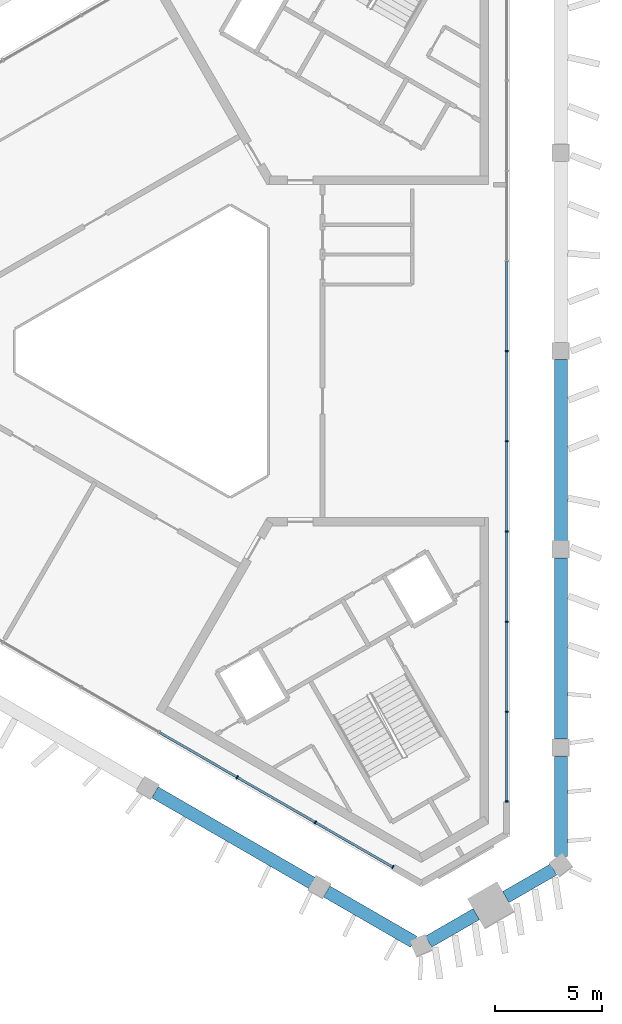
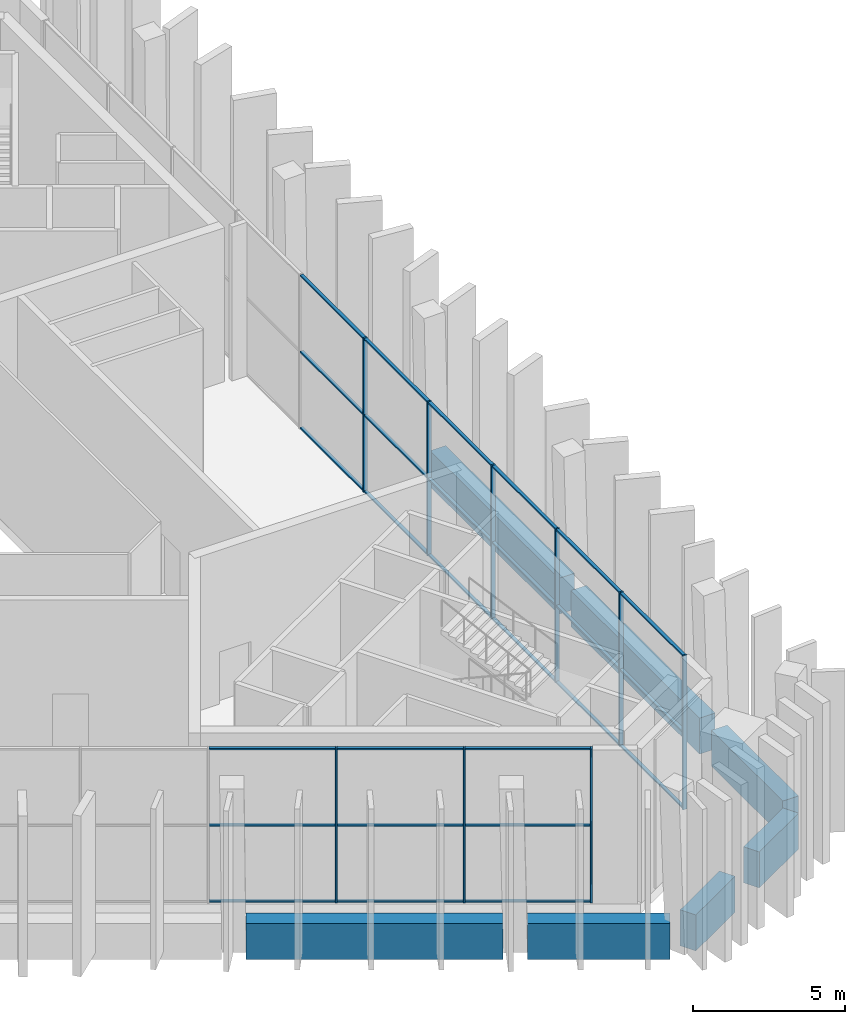
# One storey, part 4 of 13: 36 members, 7 beams, 2 elements without a shape of their own.
"""IFC4 building model written with IfcOpenShell, lengths in metres."""

from ifc_helpers import new_model, si_unit, direction, frame, origin, origin_2d, place, context, subcontext, project, spatial, rectangle, extrude, material, layer, layer_set, material_profile, profile_set, type_object, element, aggregate, save


model = new_model("IFC4")

# Units and contexts
model_context = context("Model", 3, precision=1e-05, world=origin(), true_north=direction((0.0, 1.0)))
body_context = subcontext(model_context, "Body", "Model", "MODEL_VIEW")
ifc_project = project(units=[si_unit("LENGTHUNIT", "METRE"), si_unit("AREAUNIT", "SQUARE_METRE"), si_unit("VOLUMEUNIT", "CUBIC_METRE"), si_unit("PLANEANGLEUNIT", "RADIAN"), si_unit("MASSUNIT", "GRAM", prefix="KILO")], contexts=[model_context])

# Site, building, storey
site_placement = place(None, origin())
site = spatial("IfcSite", under=ifc_project, at=site_placement, CompositionType="ELEMENT")
building_placement = place(site_placement, origin())
building = spatial("IfcBuilding", under=site, at=building_placement, Name="Jabali Bay Hotel Tower and Convention Centre", CompositionType="ELEMENT")
storey_placement = place(building_placement, frame((0.0, 0.0, 315.800048828125)))
storey = spatial("IfcBuildingStorey", under=building, at=storey_placement, Name="L77", CompositionType="ELEMENT", Elevation=315.800048828125)

# Curtain wall, members
ifc_material_1 = material(Name="Aluminium and glass", Category="aluminium")
ifc_layer = layer(ifc_material_1, 0.159912109375)
ifc_layer_set = layer_set([ifc_layer], Name="Aluminium and glass")
curtain_wall_type = type_object("IfcCurtainWallType", Name="CW3 curtain wall", PredefinedType="NOTDEFINED", material=ifc_layer_set)
curtain_wall_1_placement = place(storey_placement, origin())
curtain_wall_1 = element("IfcCurtainWall", 1, at=curtain_wall_1_placement, inside=storey, type_object=curtain_wall_type, Name="CW3 curtain wall east face L77", PredefinedType="NOTDEFINED")
ifc_material_2 = material(Name="Aluminium", Category="aluminium")
ifc_material_profile_1 = material_profile(ifc_material_2, rectangle(XDim=0.159912109375, YDim=0.06005859375, at=origin_2d()), Name="CW3 mullion 60 x 160")
ifc_profile_set_1 = profile_set([ifc_material_profile_1], Name="Aluminium")
member_type_1 = type_object("IfcMemberType", Name="CW3 mullion 60 x 160", PredefinedType="MULLION", material=ifc_profile_set_1)
member_1_placement = place(storey_placement, frame((90.72998046875, 80.0, 0.0), z_axis=(0.0, 0.0, 1.0), x_axis=(1.0, 0.0, 0.0)))
member_1 = element("IfcMember", 2, at=member_1_placement, type_object=member_type_1, Name="CW3 mullion 6", PredefinedType="MULLION", context=body_context, shape_type="SweptSolid", body=[
    extrude(rectangle(XDim=0.159912109375, YDim=0.06005859375, at=origin_2d()), origin(), (0.0, 0.0, 1.0), 6.199951171875),
])
member_2_placement = place(storey_placement, frame((90.72998046875, 75.7763671875, 0.0), z_axis=(0.0, 0.0, 1.0), x_axis=(1.0, 0.0, 0.0)))
member_2 = element("IfcMember", 3, at=member_2_placement, type_object=member_type_1, Name="CW3 mullion 7", PredefinedType="MULLION", context=body_context, shape_type="SweptSolid", body=[
    extrude(rectangle(XDim=0.159912109375, YDim=0.06005859375, at=origin_2d()), origin(), (0.0, 0.0, 1.0), 6.199951171875),
])
member_3_placement = place(storey_placement, frame((90.72998046875, 71.552734375, 0.0), z_axis=(0.0, 0.0, 1.0), x_axis=(1.0, 0.0, 0.0)))
member_3 = element("IfcMember", 4, at=member_3_placement, type_object=member_type_1, Name="CW3 mullion 8", PredefinedType="MULLION", context=body_context, shape_type="SweptSolid", body=[
    extrude(rectangle(XDim=0.159912109375, YDim=0.06005859375, at=origin_2d()), origin(), (0.0, 0.0, 1.0), 6.199951171875),
])
member_4_placement = place(storey_placement, frame((90.72998046875, 67.3291015625, 0.0), z_axis=(0.0, 0.0, 1.0), x_axis=(1.0, 0.0, 0.0)))
member_4 = element("IfcMember", 5, at=member_4_placement, type_object=member_type_1, Name="CW3 mullion 9", PredefinedType="MULLION", context=body_context, shape_type="SweptSolid", body=[
    extrude(rectangle(XDim=0.159912109375, YDim=0.06005859375, at=origin_2d()), origin(), (0.0, 0.0, 1.0), 6.199951171875),
])
member_5_placement = place(storey_placement, frame((90.72998046875, 63.105224609375, 0.0), z_axis=(0.0, 0.0, 1.0), x_axis=(1.0, 0.0, 0.0)))
member_5 = element("IfcMember", 6, at=member_5_placement, type_object=member_type_1, Name="CW3 mullion 10", PredefinedType="MULLION", context=body_context, shape_type="SweptSolid", body=[
    extrude(rectangle(XDim=0.159912109375, YDim=0.06005859375, at=origin_2d()), origin(), (0.0, 0.0, 1.0), 6.199951171875),
])
member_6_placement = place(storey_placement, frame((90.72998046875, 58.91162109375, 0.0), z_axis=(0.0, 0.0, 1.0), x_axis=(1.0, 0.0, 0.0)))
member_6 = element("IfcMember", 7, at=member_6_placement, type_object=member_type_1, Name="CW3 mullion 11", PredefinedType="MULLION", context=body_context, shape_type="SweptSolid", body=[
    extrude(rectangle(XDim=0.159912109375, YDim=0.06005859375, at=origin_2d()), origin(), (0.0, 0.0, 1.0), 6.199951171875),
])

curtain_wall_2_placement = place(storey_placement, origin())
curtain_wall_2 = element("IfcCurtainWall", 8, at=curtain_wall_2_placement, inside=storey, type_object=curtain_wall_type, Name="CW3 curtain wall south-west face L77", PredefinedType="NOTDEFINED")
member_7_placement = place(storey_placement, frame((85.39794921875, 55.833251953125, 0.0), z_axis=(0.0, 0.0, 1.0), x_axis=(-0.500000004081, -0.866025401428, 0.0)))
member_7 = element("IfcMember", 9, at=member_7_placement, type_object=member_type_1, Name="CW3 mullion 1", PredefinedType="MULLION", context=body_context, shape_type="SweptSolid", body=[
    extrude(rectangle(XDim=0.159912109375, YDim=0.06005859375, at=origin_2d()), origin(), (0.0, 0.0, 1.0), 6.199951171875),
])
member_8_placement = place(storey_placement, frame((81.76611328125, 57.93017578125, 0.0), z_axis=(0.0, 0.0, 1.0), x_axis=(-0.500000004081, -0.866025401428, 0.0)))
member_8 = element("IfcMember", 10, at=member_8_placement, type_object=member_type_1, Name="CW3 mullion 2", PredefinedType="MULLION", context=body_context, shape_type="SweptSolid", body=[
    extrude(rectangle(XDim=0.159912109375, YDim=0.06005859375, at=origin_2d()), origin(), (0.0, 0.0, 1.0), 6.199951171875),
])
member_9_placement = place(storey_placement, frame((78.1083984375, 60.0419921875, 0.0), z_axis=(0.0, 0.0, 1.0), x_axis=(-0.500000004081, -0.866025401428, 0.0)))
member_9 = element("IfcMember", 11, at=member_9_placement, type_object=member_type_1, Name="CW3 mullion 3", PredefinedType="MULLION", context=body_context, shape_type="SweptSolid", body=[
    extrude(rectangle(XDim=0.159912109375, YDim=0.06005859375, at=origin_2d()), origin(), (0.0, 0.0, 1.0), 6.199951171875),
])

# Member
ifc_material_profile_2 = material_profile(ifc_material_2, rectangle(XDim=0.1201171875, YDim=0.06005859375, at=origin_2d()), Name="CW3 transom 60 x 120")
ifc_profile_set_2 = profile_set([ifc_material_profile_2], Name="Aluminium")
member_type_2 = type_object("IfcMemberType", Name="CW3 transom 60 x 120", PredefinedType="USERDEFINED", material=ifc_profile_set_2)
member_10_placement = place(storey_placement, frame((90.72998046875, 84.193603515625, 0.030029296875), z_axis=(0.0, -1.0, 0.0), x_axis=(1.0, 0.0, 0.0)))
member_10 = element("IfcMember", 12, at=member_10_placement, type_object=member_type_2, Name="CW3 transom 5.1", ObjectType="TRANSOM", PredefinedType="USERDEFINED", context=body_context, shape_type="SweptSolid", body=[
    extrude(rectangle(XDim=0.1201171875, YDim=0.06005859375, at=origin_2d()), origin(), (0.0, 0.0, 1.0), 4.16357421875),
])

member_11_placement = place(storey_placement, frame((90.72998046875, 84.193603515625, 3.099853515625), z_axis=(0.0, -1.0, 0.0), x_axis=(1.0, 0.0, 0.0)))
member_11 = element("IfcMember", 13, at=member_11_placement, type_object=member_type_2, Name="CW3 transom 5.2", ObjectType="TRANSOM", PredefinedType="USERDEFINED", context=body_context, shape_type="SweptSolid", body=[
    extrude(rectangle(XDim=0.1201171875, YDim=0.06005859375, at=origin_2d()), origin(), (0.0, 0.0, 1.0), 4.16357421875),
])

member_12_placement = place(storey_placement, frame((90.72998046875, 84.193603515625, 6.169921875), z_axis=(0.0, -1.0, 0.0), x_axis=(1.0, 0.0, 0.0)))
member_12 = element("IfcMember", 14, at=member_12_placement, type_object=member_type_2, Name="CW3 transom 5.3", ObjectType="TRANSOM", PredefinedType="USERDEFINED", context=body_context, shape_type="SweptSolid", body=[
    extrude(rectangle(XDim=0.1201171875, YDim=0.06005859375, at=origin_2d()), origin(), (0.0, 0.0, 1.0), 4.16357421875),
])

member_13_placement = place(storey_placement, frame((90.72998046875, 79.969970703125, 0.030029296875), z_axis=(0.0, -1.0, 0.0), x_axis=(1.0, 0.0, 0.0)))
member_13 = element("IfcMember", 15, at=member_13_placement, type_object=member_type_2, Name="CW3 transom 6.1", ObjectType="TRANSOM", PredefinedType="USERDEFINED", context=body_context, shape_type="SweptSolid", body=[
    extrude(rectangle(XDim=0.1201171875, YDim=0.06005859375, at=origin_2d()), origin(), (0.0, 0.0, 1.0), 4.16357421875),
])

member_14_placement = place(storey_placement, frame((90.72998046875, 79.969970703125, 3.099853515625), z_axis=(0.0, -1.0, 0.0), x_axis=(1.0, 0.0, 0.0)))
member_14 = element("IfcMember", 16, at=member_14_placement, type_object=member_type_2, Name="CW3 transom 6.2", ObjectType="TRANSOM", PredefinedType="USERDEFINED", context=body_context, shape_type="SweptSolid", body=[
    extrude(rectangle(XDim=0.1201171875, YDim=0.06005859375, at=origin_2d()), origin(), (0.0, 0.0, 1.0), 4.16357421875),
])

member_15_placement = place(storey_placement, frame((90.72998046875, 79.969970703125, 6.169921875), z_axis=(0.0, -1.0, 0.0), x_axis=(1.0, 0.0, 0.0)))
member_15 = element("IfcMember", 17, at=member_15_placement, type_object=member_type_2, Name="CW3 transom 6.3", ObjectType="TRANSOM", PredefinedType="USERDEFINED", context=body_context, shape_type="SweptSolid", body=[
    extrude(rectangle(XDim=0.1201171875, YDim=0.06005859375, at=origin_2d()), origin(), (0.0, 0.0, 1.0), 4.16357421875),
])

member_16_placement = place(storey_placement, frame((90.72998046875, 75.746337890625, 0.030029296875), z_axis=(0.0, -1.0, 0.0), x_axis=(1.0, 0.0, 0.0)))
member_16 = element("IfcMember", 18, at=member_16_placement, type_object=member_type_2, Name="CW3 transom 7.1", ObjectType="TRANSOM", PredefinedType="USERDEFINED", context=body_context, shape_type="SweptSolid", body=[
    extrude(rectangle(XDim=0.1201171875, YDim=0.06005859375, at=origin_2d()), origin(), (0.0, 0.0, 1.0), 4.16357421875),
])

member_17_placement = place(storey_placement, frame((90.72998046875, 75.746337890625, 3.099853515625), z_axis=(0.0, -1.0, 0.0), x_axis=(1.0, 0.0, 0.0)))
member_17 = element("IfcMember", 19, at=member_17_placement, type_object=member_type_2, Name="CW3 transom 7.2", ObjectType="TRANSOM", PredefinedType="USERDEFINED", context=body_context, shape_type="SweptSolid", body=[
    extrude(rectangle(XDim=0.1201171875, YDim=0.06005859375, at=origin_2d()), origin(), (0.0, 0.0, 1.0), 4.16357421875),
])

member_18_placement = place(storey_placement, frame((90.72998046875, 75.746337890625, 6.169921875), z_axis=(0.0, -1.0, 0.0), x_axis=(1.0, 0.0, 0.0)))
member_18 = element("IfcMember", 20, at=member_18_placement, type_object=member_type_2, Name="CW3 transom 7.3", ObjectType="TRANSOM", PredefinedType="USERDEFINED", context=body_context, shape_type="SweptSolid", body=[
    extrude(rectangle(XDim=0.1201171875, YDim=0.06005859375, at=origin_2d()), origin(), (0.0, 0.0, 1.0), 4.16357421875),
])

member_19_placement = place(storey_placement, frame((90.72998046875, 71.522705078125, 0.030029296875), z_axis=(0.0, -1.0, 0.0), x_axis=(1.0, 0.0, 0.0)))
member_19 = element("IfcMember", 21, at=member_19_placement, type_object=member_type_2, Name="CW3 transom 8.1", ObjectType="TRANSOM", PredefinedType="USERDEFINED", context=body_context, shape_type="SweptSolid", body=[
    extrude(rectangle(XDim=0.1201171875, YDim=0.06005859375, at=origin_2d()), origin(), (0.0, 0.0, 1.0), 4.163818359375),
])

member_20_placement = place(storey_placement, frame((90.72998046875, 71.522705078125, 3.099853515625), z_axis=(0.0, -1.0, 0.0), x_axis=(1.0, 0.0, 0.0)))
member_20 = element("IfcMember", 22, at=member_20_placement, type_object=member_type_2, Name="CW3 transom 8.2", ObjectType="TRANSOM", PredefinedType="USERDEFINED", context=body_context, shape_type="SweptSolid", body=[
    extrude(rectangle(XDim=0.1201171875, YDim=0.06005859375, at=origin_2d()), origin(), (0.0, 0.0, 1.0), 4.163818359375),
])

member_21_placement = place(storey_placement, frame((90.72998046875, 71.522705078125, 6.169921875), z_axis=(0.0, -1.0, 0.0), x_axis=(1.0, 0.0, 0.0)))
member_21 = element("IfcMember", 23, at=member_21_placement, type_object=member_type_2, Name="CW3 transom 8.3", ObjectType="TRANSOM", PredefinedType="USERDEFINED", context=body_context, shape_type="SweptSolid", body=[
    extrude(rectangle(XDim=0.1201171875, YDim=0.06005859375, at=origin_2d()), origin(), (0.0, 0.0, 1.0), 4.163818359375),
])

member_22_placement = place(storey_placement, frame((90.72998046875, 67.299072265625, 0.030029296875), z_axis=(0.0, -1.0, 0.0), x_axis=(1.0, 0.0, 0.0)))
member_22 = element("IfcMember", 24, at=member_22_placement, type_object=member_type_2, Name="CW3 transom 9.1", ObjectType="TRANSOM", PredefinedType="USERDEFINED", context=body_context, shape_type="SweptSolid", body=[
    extrude(rectangle(XDim=0.1201171875, YDim=0.06005859375, at=origin_2d()), origin(), (0.0, 0.0, 1.0), 4.163818359375),
])

member_23_placement = place(storey_placement, frame((90.72998046875, 67.299072265625, 3.099853515625), z_axis=(0.0, -1.0, 0.0), x_axis=(1.0, 0.0, 0.0)))
member_23 = element("IfcMember", 25, at=member_23_placement, type_object=member_type_2, Name="CW3 transom 9.2", ObjectType="TRANSOM", PredefinedType="USERDEFINED", context=body_context, shape_type="SweptSolid", body=[
    extrude(rectangle(XDim=0.1201171875, YDim=0.06005859375, at=origin_2d()), origin(), (0.0, 0.0, 1.0), 4.163818359375),
])

member_24_placement = place(storey_placement, frame((90.72998046875, 67.299072265625, 6.169921875), z_axis=(0.0, -1.0, 0.0), x_axis=(1.0, 0.0, 0.0)))
member_24 = element("IfcMember", 26, at=member_24_placement, type_object=member_type_2, Name="CW3 transom 9.3", ObjectType="TRANSOM", PredefinedType="USERDEFINED", context=body_context, shape_type="SweptSolid", body=[
    extrude(rectangle(XDim=0.1201171875, YDim=0.06005859375, at=origin_2d()), origin(), (0.0, 0.0, 1.0), 4.163818359375),
])

member_25_placement = place(storey_placement, frame((90.72998046875, 63.0751953125, 0.030029296875), z_axis=(0.0, -1.0, 0.0), x_axis=(1.0, 0.0, 0.0)))
member_25 = element("IfcMember", 27, at=member_25_placement, type_object=member_type_2, Name="CW3 transom 10.1", ObjectType="TRANSOM", PredefinedType="USERDEFINED", context=body_context, shape_type="SweptSolid", body=[
    extrude(rectangle(XDim=0.1201171875, YDim=0.06005859375, at=origin_2d()), origin(), (0.0, 0.0, 1.0), 4.133544921875),
])

member_26_placement = place(storey_placement, frame((90.72998046875, 63.0751953125, 3.099853515625), z_axis=(0.0, -1.0, 0.0), x_axis=(1.0, 0.0, 0.0)))
member_26 = element("IfcMember", 28, at=member_26_placement, type_object=member_type_2, Name="CW3 transom 10.2", ObjectType="TRANSOM", PredefinedType="USERDEFINED", context=body_context, shape_type="SweptSolid", body=[
    extrude(rectangle(XDim=0.1201171875, YDim=0.06005859375, at=origin_2d()), origin(), (0.0, 0.0, 1.0), 4.133544921875),
])

member_27_placement = place(storey_placement, frame((90.72998046875, 63.0751953125, 6.169921875), z_axis=(0.0, -1.0, 0.0), x_axis=(1.0, 0.0, 0.0)))
member_27 = element("IfcMember", 29, at=member_27_placement, type_object=member_type_2, Name="CW3 transom 10.3", ObjectType="TRANSOM", PredefinedType="USERDEFINED", context=body_context, shape_type="SweptSolid", body=[
    extrude(rectangle(XDim=0.1201171875, YDim=0.06005859375, at=origin_2d()), origin(), (0.0, 0.0, 1.0), 4.133544921875),
])

aggregate(curtain_wall_1, [member_1, member_2, member_3, member_4, member_5, member_6, member_10, member_11, member_12, member_13, member_14, member_15, member_16, member_17, member_18, member_19, member_20, member_21, member_22, member_23, member_24, member_25, member_26, member_27])

member_28_placement = place(storey_placement, frame((85.3720703125, 55.84814453125, 0.030029296875), z_axis=(-0.866017398832, 0.500013864728, 0.0), x_axis=(-0.500013864728, -0.866017398832, 0.0)))
member_28 = element("IfcMember", 30, at=member_28_placement, type_object=member_type_2, Name="CW3 transom 1.1", ObjectType="TRANSOM", PredefinedType="USERDEFINED", context=body_context, shape_type="SweptSolid", body=[
    extrude(rectangle(XDim=0.1201171875, YDim=0.06005859375, at=origin_2d()), origin(), (0.0, 0.0, 1.0), 4.1337890625),
])

member_29_placement = place(storey_placement, frame((85.3720703125, 55.84814453125, 3.099853515625), z_axis=(-0.866017398832, 0.500013864728, 0.0), x_axis=(-0.500013864728, -0.866017398832, 0.0)))
member_29 = element("IfcMember", 31, at=member_29_placement, type_object=member_type_2, Name="CW3 transom 1.2", ObjectType="TRANSOM", PredefinedType="USERDEFINED", context=body_context, shape_type="SweptSolid", body=[
    extrude(rectangle(XDim=0.1201171875, YDim=0.06005859375, at=origin_2d()), origin(), (0.0, 0.0, 1.0), 4.1337890625),
])

member_30_placement = place(storey_placement, frame((85.3720703125, 55.84814453125, 6.169921875), z_axis=(-0.866017398832, 0.500013864728, 0.0), x_axis=(-0.500013864728, -0.866017398832, 0.0)))
member_30 = element("IfcMember", 32, at=member_30_placement, type_object=member_type_2, Name="CW3 transom 1.3", ObjectType="TRANSOM", PredefinedType="USERDEFINED", context=body_context, shape_type="SweptSolid", body=[
    extrude(rectangle(XDim=0.1201171875, YDim=0.06005859375, at=origin_2d()), origin(), (0.0, 0.0, 1.0), 4.1337890625),
])

member_31_placement = place(storey_placement, frame((81.740234375, 57.945068359375, 0.030029296875), z_axis=(-0.866022512394, 0.500005008002, 0.0), x_axis=(-0.500005008002, -0.866022512394, 0.0)))
member_31 = element("IfcMember", 33, at=member_31_placement, type_object=member_type_2, Name="CW3 transom 2.1", ObjectType="TRANSOM", PredefinedType="USERDEFINED", context=body_context, shape_type="SweptSolid", body=[
    extrude(rectangle(XDim=0.1201171875, YDim=0.06005859375, at=origin_2d()), origin(), (0.0, 0.0, 1.0), 4.16357421875),
])

member_32_placement = place(storey_placement, frame((81.740234375, 57.945068359375, 3.099853515625), z_axis=(-0.866022512394, 0.500005008002, 0.0), x_axis=(-0.500005008002, -0.866022512394, 0.0)))
member_32 = element("IfcMember", 34, at=member_32_placement, type_object=member_type_2, Name="CW3 transom 2.2", ObjectType="TRANSOM", PredefinedType="USERDEFINED", context=body_context, shape_type="SweptSolid", body=[
    extrude(rectangle(XDim=0.1201171875, YDim=0.06005859375, at=origin_2d()), origin(), (0.0, 0.0, 1.0), 4.16357421875),
])

member_33_placement = place(storey_placement, frame((81.740234375, 57.945068359375, 6.169921875), z_axis=(-0.866022512394, 0.500005008002, 0.0), x_axis=(-0.500005008002, -0.866022512394, 0.0)))
member_33 = element("IfcMember", 35, at=member_33_placement, type_object=member_type_2, Name="CW3 transom 2.3", ObjectType="TRANSOM", PredefinedType="USERDEFINED", context=body_context, shape_type="SweptSolid", body=[
    extrude(rectangle(XDim=0.1201171875, YDim=0.06005859375, at=origin_2d()), origin(), (0.0, 0.0, 1.0), 4.16357421875),
])

member_34_placement = place(storey_placement, frame((78.08251953125, 60.056884765625, 0.030029296875), z_axis=(-0.866037171035, 0.49997961797, 0.0), x_axis=(-0.49997961797, -0.866037171035, 0.0)))
member_34 = element("IfcMember", 36, at=member_34_placement, type_object=member_type_2, Name="CW3 transom 3.1", ObjectType="TRANSOM", PredefinedType="USERDEFINED", context=body_context, shape_type="SweptSolid", body=[
    extrude(rectangle(XDim=0.1201171875, YDim=0.06005859375, at=origin_2d()), origin(), (0.0, 0.0, 1.0), 4.163818359375),
])

member_35_placement = place(storey_placement, frame((78.08251953125, 60.056884765625, 3.099853515625), z_axis=(-0.866037171035, 0.49997961797, 0.0), x_axis=(-0.49997961797, -0.866037171035, 0.0)))
member_35 = element("IfcMember", 37, at=member_35_placement, type_object=member_type_2, Name="CW3 transom 3.2", ObjectType="TRANSOM", PredefinedType="USERDEFINED", context=body_context, shape_type="SweptSolid", body=[
    extrude(rectangle(XDim=0.1201171875, YDim=0.06005859375, at=origin_2d()), origin(), (0.0, 0.0, 1.0), 4.163818359375),
])

member_36_placement = place(storey_placement, frame((78.08251953125, 60.056884765625, 6.169921875), z_axis=(-0.866037171035, 0.49997961797, 0.0), x_axis=(-0.49997961797, -0.866037171035, 0.0)))
member_36 = element("IfcMember", 38, at=member_36_placement, type_object=member_type_2, Name="CW3 transom 3.3", ObjectType="TRANSOM", PredefinedType="USERDEFINED", context=body_context, shape_type="SweptSolid", body=[
    extrude(rectangle(XDim=0.1201171875, YDim=0.06005859375, at=origin_2d()), origin(), (0.0, 0.0, 1.0), 4.163818359375),
])

aggregate(curtain_wall_2, [member_7, member_8, member_9, member_28, member_29, member_30, member_31, member_32, member_33, member_34, member_35, member_36])

# Beams
ifc_material_3 = material(Name="Concrete C60", Category="concrete")
ifc_material_profile_3 = material_profile(ifc_material_3, rectangle(XDim=0.60009765625, YDim=1.449951171875, at=origin_2d()), Name="Spandrel 600x1450")
ifc_profile_set_3 = profile_set([ifc_material_profile_3], Name="Concrete C60")
beam_type = type_object("IfcBeamType", Name="Spandrel 600x1450", PredefinedType="SPANDREL", material=ifc_profile_set_3)
beam_1_placement = place(storey_placement, frame((74.25390625, 59.33154296875, 0.375), z_axis=(0.866030874578, -0.499990524188, 0.0), x_axis=(0.499990524188, 0.866030874578, 0.0)))
element("IfcBeam", 39, at=beam_1_placement, inside=storey, type_object=beam_type, Name="Spandrel F2.4-F2.5 L77", PredefinedType="SPANDREL", context=body_context, shape_type="SweptSolid", body=[
    extrude(rectangle(XDim=0.60009765625, YDim=1.449951171875, at=origin_2d()), origin(), (0.0, 0.0, 1.0), 8.488037109375),
])
beam_2_placement = place(storey_placement, frame((82.297607421875, 54.6875, 0.375), z_axis=(0.866027409508, -0.499996525969, 0.0), x_axis=(0.499996525969, 0.866027409508, 0.0)))
element("IfcBeam", 40, at=beam_2_placement, inside=storey, type_object=beam_type, Name="Spandrel F2.5-V5 L77", PredefinedType="SPANDREL", context=body_context, shape_type="SweptSolid", body=[
    extrude(rectangle(XDim=0.60009765625, YDim=1.449951171875, at=origin_2d()), origin(), (0.0, 0.0, 1.0), 4.70361328125),
])
beam_3_placement = place(storey_placement, frame((87.06396484375, 52.335693359375, 0.375), z_axis=(0.866007809968, 0.500030472146, 0.0), x_axis=(-0.500030472146, 0.866007809968, 0.0)))
element("IfcBeam", 41, at=beam_3_placement, inside=storey, type_object=beam_type, Name="Spandrel V5-M2 L77", PredefinedType="SPANDREL", context=body_context, shape_type="SweptSolid", body=[
    extrude(rectangle(XDim=0.60009765625, YDim=1.449951171875, at=origin_2d()), origin(), (0.0, 0.0, 1.0), 2.584228515625),
])
beam_4_placement = place(storey_placement, frame((90.687744140625, 54.427978515625, 0.375), z_axis=(0.866031427484, 0.4999895665, 0.0), x_axis=(-0.4999895665, 0.866031427484, 0.0)))
element("IfcBeam", 42, at=beam_4_placement, inside=storey, type_object=beam_type, Name="Spandrel M2-V0 L77", PredefinedType="SPANDREL", context=body_context, shape_type="SweptSolid", body=[
    extrude(rectangle(XDim=0.60009765625, YDim=1.449951171875, at=origin_2d()), origin(), (0.0, 0.0, 1.0), 2.58447265625),
])
beam_5_placement = place(storey_placement, frame((93.2724609375, 56.3203125, 0.375), z_axis=(0.0, 1.0, 0.0), x_axis=(-1.0, 0.0, 0.0)))
element("IfcBeam", 43, at=beam_5_placement, inside=storey, type_object=beam_type, Name="Spandrel V0-F0.1 L77", PredefinedType="SPANDREL", context=body_context, shape_type="SweptSolid", body=[
    extrude(rectangle(XDim=0.60009765625, YDim=1.449951171875, at=origin_2d()), origin(), (0.0, 0.0, 1.0), 4.70361328125),
])
for number, where, z_axis, x_axis, name in (
    (44, (93.2724609375, 61.82373046875, 0.375), (0.0, 1.0, 0.0), (-1.0, 0.0, 0.0), "Spandrel F0.1-F0.2 L77"),
    (45, (93.2724609375, 71.11181640625, 0.375), (0.0, 1.0, 0.0), (-1.0, 0.0, 0.0), "Spandrel F0.2-F0.3 L77"),
):
    element("IfcBeam", number, at=place(storey_placement, frame(where, z_axis=z_axis, x_axis=x_axis)), inside=storey, type_object=beam_type, Name=name, PredefinedType="SPANDREL", context=body_context, shape_type="SweptSolid", body=[
        extrude(rectangle(XDim=0.60009765625, YDim=1.449951171875, at=origin_2d()), origin(), (0.0, 0.0, 1.0), 8.48828125),
    ])

save(model, "model.ifc")
